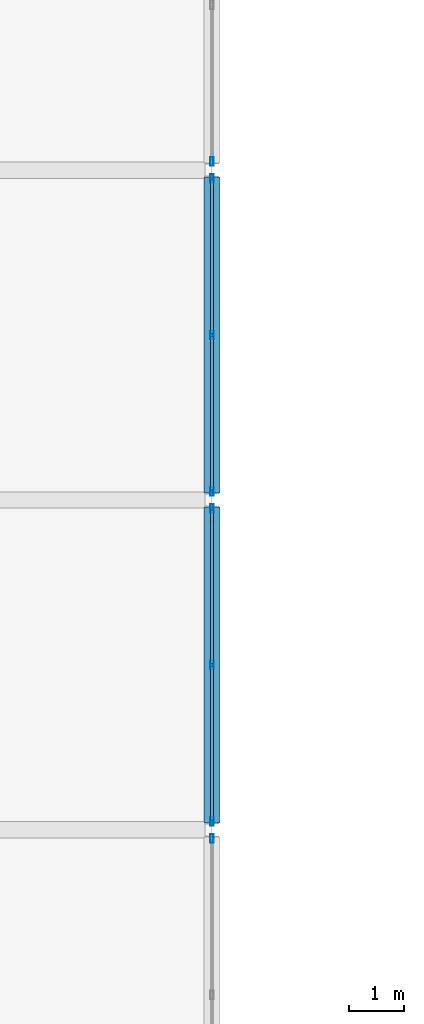
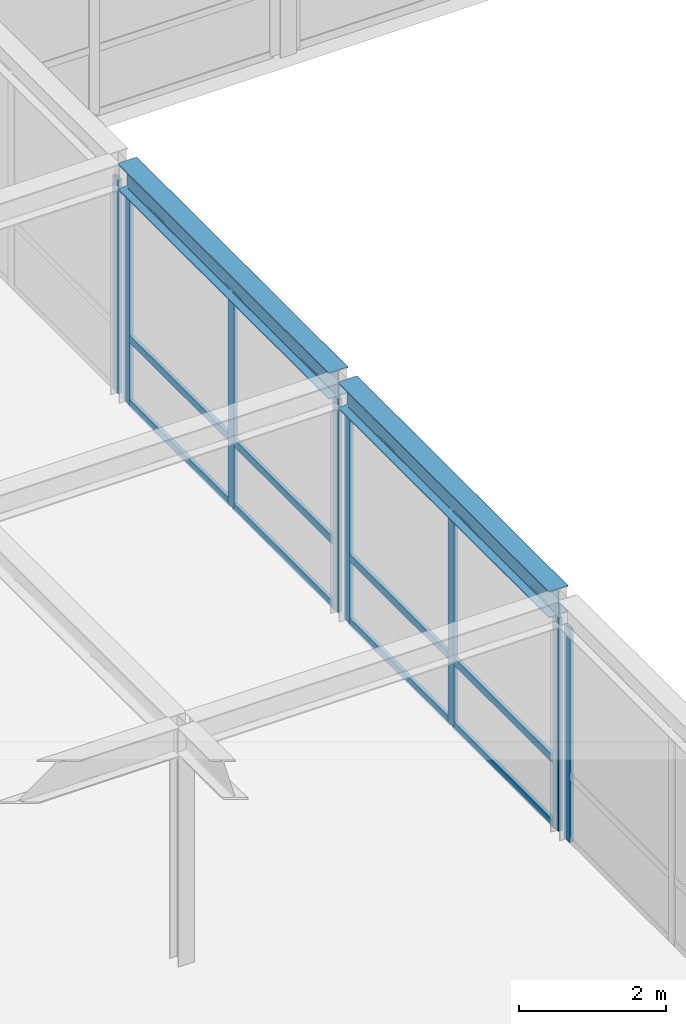
# One storey, part 45 of 111: 20 members, 2 beams, 4 elements without a shape of their own.
"""IFC4 building model written with IfcOpenShell, lengths in metres."""

import ifcopenshell
import ifcopenshell.guid

model = None  # the IFC model being written
_history = None  # IfcOwnerHistory: only IFC2X3 demands one
_inside = {}  # id of a spatial element -> (the spatial element, [elements in it])
_under = {}  # id of a project, library or spatial element -> (it, [spatial elements below it])
_declared = {}  # id of a project -> (the project, [libraries it declares])
_typed = {}  # id of a type object -> (the type object, [elements of that type])
_made_of = {}  # id of a material, layer set ... -> (it, [elements and type objects made of it])


def new_model(schema):
    """Start an empty IFC model of exactly this schema.

    Asked for "IFC4X3", IfcOpenShell would pick the latest addendum, in which some entities
    have other attributes; the version numbers below select the first issue.
    IFC2X3 requires an IfcOwnerHistory on every rooted entity: one is made here for all.
    """
    global model, _history
    if schema == "IFC4X3":
        model = ifcopenshell.file(schema_version=(4, 3, 0, 0))
    else:
        model = ifcopenshell.file(schema=schema)
    _inside.clear()
    _under.clear()
    _declared.clear()
    _typed.clear()
    _made_of.clear()
    _history = None
    if model.schema == "IFC2X3":
        org = make("IfcOrganization", Name="unknown")
        user = make(
            "IfcPersonAndOrganization",
            ThePerson=make("IfcPerson", FamilyName="unknown"),
            TheOrganization=org,
        )
        app = make(
            "IfcApplication",
            ApplicationDeveloper=org,
            Version="unknown",
            ApplicationFullName="unknown",
            ApplicationIdentifier="unknown",
        )
        _history = make(
            "IfcOwnerHistory",
            OwningUser=user,
            OwningApplication=app,
            ChangeAction="ADDED",
            CreationDate=0,
        )
    return model


def make(cls, **values):
    """One entity of the class cls with the attributes given. An attribute that is None is left unset."""
    return model.create_entity(
        cls, **{name: value for name, value in values.items() if value is not None}
    )


def rooted(cls, **values):
    """An entity with a GlobalId (a new one), such as an element, a storey or a relation."""
    return make(cls, GlobalId=ifcopenshell.guid.new(), OwnerHistory=_history, **values)


def si_unit(unit_type, name, prefix=None):
    """IfcSIUnit, for example si_unit("LENGTHUNIT", "METRE", prefix="MILLI")."""
    return make("IfcSIUnit", UnitType=unit_type, Prefix=prefix, Name=name)


def assignment(units):
    """IfcUnitAssignment: the units of a project."""
    return None if units is None else make("IfcUnitAssignment", Units=units)


def point(xyz):
    """IfcCartesianPoint."""
    return None if xyz is None else make("IfcCartesianPoint", Coordinates=xyz)


def direction(xyz):
    """IfcDirection."""
    return None if xyz is None else make("IfcDirection", DirectionRatios=xyz)


def frame(location, z_axis=None, x_axis=None):
    """IfcAxis2Placement3D, a coordinate frame: its origin and axes. An axis left out is left unset."""
    return make(
        "IfcAxis2Placement3D",
        Location=point(location),
        Axis=direction(z_axis),
        RefDirection=direction(x_axis),
    )


def frame_2d(location, x_axis=None):
    """IfcAxis2Placement2D, a coordinate frame in the plane: its origin and x axis."""
    return make(
        "IfcAxis2Placement2D", Location=point(location), RefDirection=direction(x_axis)
    )


def origin():
    """The frame at (0, 0, 0) with its axes left unset."""
    return frame((0.0, 0.0, 0.0))


def origin_2d():
    """The frame at (0, 0) in the plane with its x axis left unset."""
    return frame_2d((0.0, 0.0))


def place(relative_to, where):
    """IfcLocalPlacement: puts the frame where relative to a parent placement (None: the world)."""
    return make(
        "IfcLocalPlacement", PlacementRelTo=relative_to, RelativePlacement=where
    )


def context(
    kind, dimensions, precision=None, world=None, true_north=None, identifier=None
):
    """IfcGeometricRepresentationContext, for example the 3D "Model" context."""
    return make(
        "IfcGeometricRepresentationContext",
        ContextIdentifier=identifier,
        ContextType=kind,
        CoordinateSpaceDimension=dimensions,
        Precision=precision,
        WorldCoordinateSystem=world,
        TrueNorth=true_north,
    )


def subcontext(parent, identifier, kind, view, scale=None):
    """IfcGeometricRepresentationSubContext, for example "Body" below "Model"."""
    return make(
        "IfcGeometricRepresentationSubContext",
        ContextIdentifier=identifier,
        ContextType=kind,
        ParentContext=parent,
        TargetScale=scale,
        TargetView=view,
    )


def project(units=None, contexts=None):
    """IfcProject with its units and contexts."""
    return rooted(
        "IfcProject",
        Name="project",
        RepresentationContexts=contexts,
        UnitsInContext=assignment(units),
    )


def spatial(cls, under=None, at=None, **own):
    """A site, building, storey or space (cls), placed at a placement, below another one or the project."""
    s = rooted(cls, ObjectPlacement=at, **own)
    if under is not None:
        _under.setdefault(under.id(), (under, []))[1].append(s)
    return s


def profile(cls, at=None, kind="AREA", **sizes):
    """A parametric profile (cls). Its sizes go by their IFC names, for example OverallWidth=200.0."""
    return make(cls, ProfileType=kind, Position=at, **sizes)


def hollow_rectangle(**sizes):
    """IfcRectangleHollowProfileDef."""
    return profile("IfcRectangleHollowProfileDef", **sizes)


def i_section(**sizes):
    """IfcIShapeProfileDef."""
    return profile("IfcIShapeProfileDef", **sizes)


def extrude(swept, where, along, depth):
    """IfcExtrudedAreaSolid: the profile swept, set in the frame where, extruded along a direction by depth."""
    return make(
        "IfcExtrudedAreaSolid",
        SweptArea=swept,
        Position=where,
        ExtrudedDirection=direction(along),
        Depth=depth,
    )


def shape(context_of_items, identifier, shape_type, items):
    """IfcShapeRepresentation: the items that make up one representation, for example the "Body"."""
    return make(
        "IfcShapeRepresentation",
        ContextOfItems=context_of_items,
        RepresentationIdentifier=identifier,
        RepresentationType=shape_type,
        Items=items,
    )


def material(Name=None, Category=None):
    """IfcMaterial."""
    return make("IfcMaterial", Name=Name, Category=Category)


def layer(
    of_material, thickness, ventilated=None, Name=None, Category=None, Priority=None
):
    """IfcMaterialLayer: one layer of a wall or slab, of a material (None: an air gap)."""
    return make(
        "IfcMaterialLayer",
        Material=of_material,
        LayerThickness=thickness,
        IsVentilated=ventilated,
        Name=Name,
        Category=Category,
        Priority=Priority,
    )


def layer_set(layers, Name=None):
    """IfcMaterialLayerSet."""
    return make("IfcMaterialLayerSet", MaterialLayers=layers, LayerSetName=Name)


def material_profile(
    of_material, cross_section, Name=None, Category=None, Priority=None
):
    """IfcMaterialProfile: a cross section and its material."""
    return make(
        "IfcMaterialProfile",
        Name=Name,
        Material=of_material,
        Profile=cross_section,
        Priority=Priority,
        Category=Category,
    )


def profile_set(profiles, Name=None, composite=None):
    """IfcMaterialProfileSet."""
    return make(
        "IfcMaterialProfileSet",
        Name=Name,
        MaterialProfiles=profiles,
        CompositeProfile=composite,
    )


def made_of(thing, what):
    """Note that an element or type object is made of a material, layer set ...; save() writes the relation."""
    if what is not None:
        _made_of.setdefault(what.id(), (what, []))[1].append(thing)
    return thing


def type_object(cls, material=None, **own):
    """A type object (cls), such as IfcWallType, which elements share."""
    return made_of(rooted(cls, **own), material)


def element(
    cls,
    number,
    at=None,
    inside=None,
    cuts=None,
    type_object=None,
    material=None,
    context=None,
    identifier="Body",
    shape_type=None,
    held_by="IfcProductDefinitionShape",
    body=None,
    shapes=None,
    **own,
):
    """One element of the class cls, such as IfcWall. Its Tag is "e" and its number.

    at: its placement. inside: the storey or other place that contains it. cuts: it is an
    opening in that element (IfcRelVoidsElement). A single representation is given by context,
    identifier, shape_type and body (its items); several are given by shapes. held_by: the class
    of the entity that holds the representations. save() writes the other relations.
    """
    e = rooted(cls, Tag="e%d" % number, ObjectPlacement=at, **own)
    if body is not None:
        shapes = [shape(context, identifier, shape_type, body)]
    if shapes is not None:
        e.Representation = make(held_by, Representations=shapes)
    if inside is not None:
        _inside.setdefault(inside.id(), (inside, []))[1].append(e)
    if cuts is not None:
        rooted(
            "IfcRelVoidsElement", RelatingBuildingElement=cuts, RelatedOpeningElement=e
        )
    if type_object is not None:
        _typed.setdefault(type_object.id(), (type_object, []))[1].append(e)
    return made_of(e, material)


def aggregate(whole, parts):
    """IfcRelAggregates: a whole, such as a stair, and the parts it consists of."""
    return rooted("IfcRelAggregates", RelatingObject=whole, RelatedObjects=parts)


def save(model, path):
    """Write the relations noted so far, then the file.

    IfcRelAggregates (storeys below a building ...), IfcRelContainedInSpatialStructure (elements
    in a storey), IfcRelDefinesByType, IfcRelAssociatesMaterial and IfcRelDeclares: one each for
    every whole, place, type object, material and project.
    """
    for whole, parts in _under.values():
        aggregate(whole, parts)
    for where, things in _inside.values():
        rooted(
            "IfcRelContainedInSpatialStructure",
            RelatedElements=things,
            RelatingStructure=where,
        )
    for kind, things in _typed.values():
        rooted("IfcRelDefinesByType", RelatedObjects=things, RelatingType=kind)
    for what, things in _made_of.values():
        rooted("IfcRelAssociatesMaterial", RelatedObjects=things, RelatingMaterial=what)
    for by, libraries in _declared.values():
        rooted("IfcRelDeclares", RelatingContext=by, RelatedDefinitions=libraries)
    model.write(path)


model = new_model("IFC4")

# Units and contexts
model_context = context("Model", 3, precision=1e-05, world=origin(), true_north=direction((0.0, 1.0)))
body_context = subcontext(model_context, "Body", "Model", "MODEL_VIEW")
ifc_project = project(units=[si_unit("LENGTHUNIT", "METRE"), si_unit("AREAUNIT", "SQUARE_METRE"), si_unit("VOLUMEUNIT", "CUBIC_METRE"), si_unit("PLANEANGLEUNIT", "RADIAN"), si_unit("MASSUNIT", "GRAM", prefix="KILO")], contexts=[model_context])

# Site, building, storey
site_placement = place(None, origin())
site = spatial("IfcSite", under=ifc_project, at=site_placement, CompositionType="ELEMENT")
building_placement = place(site_placement, origin())
building = spatial("IfcBuilding", under=site, at=building_placement, Name="Zlatovratsky Civic Hall", CompositionType="ELEMENT")
storey_placement = place(building_placement, frame((0.0, 0.0, 16.5)))
storey = spatial("IfcBuildingStorey", under=building, at=storey_placement, Name="L04", CompositionType="ELEMENT", Elevation=16.5)

# Beams
ifc_material_1 = material(Name="Steel S355", Category="steel")
ifc_material_profile_1 = material_profile(ifc_material_1, i_section(OverallWidth=0.300048828125, OverallDepth=0.43994140625, WebThickness=0.010986328125, FlangeThickness=0.01806640625, FilletRadius=0.02197265625, at=origin_2d()), Name="45Sh1")
ifc_profile_set_1 = profile_set([ifc_material_profile_1], Name="Steel S355")
beam_type = type_object("IfcBeamType", Name="Beam_TowerLow_45Sh1", PredefinedType="BEAM", material=ifc_profile_set_1)
for number, where, z_axis, x_axis, name in (
    (1, (18.0, 48.125, 3.780029296875), (0.0, 1.0, 0.0), (-1.0, 0.0, 0.0), "BM-3552"),
    (2, (18.0, 54.125, 3.780029296875), (0.0, 1.0, 0.0), (-1.0, 0.0, 0.0), "BM-3553"),
):
    element("IfcBeam", number, at=place(storey_placement, frame(where, z_axis=z_axis, x_axis=x_axis)), inside=storey, type_object=beam_type, Name=name, PredefinedType="BEAM", context=body_context, shape_type="SweptSolid", body=[
        extrude(i_section(OverallWidth=0.300048828125, OverallDepth=0.43994140625, WebThickness=0.010986328125, FlangeThickness=0.01806640625, FilletRadius=0.02197265625, at=origin_2d()), origin(), (0.0, 0.0, 1.0), 5.75),
    ])

# Curtain wall, member
ifc_material_2 = material(Name="Anodised bronze aluminium", Category="aluminium")
ifc_layer = layer(ifc_material_2, 0.159912109375)
ifc_layer_set = layer_set([ifc_layer], Name="Anodised bronze aluminium")
curtain_wall_type = type_object("IfcCurtainWallType", Name="CurtainWall_Bronze_5750x3550_18", PredefinedType="NOTDEFINED", material=ifc_layer_set)
curtain_wall_1_placement = place(storey_placement, origin())
curtain_wall_1 = element("IfcCurtainWall", 3, at=curtain_wall_1_placement, inside=storey, type_object=curtain_wall_type, Name="CW-101", PredefinedType="NOTDEFINED")
ifc_material_profile_2 = material_profile(ifc_material_2, hollow_rectangle(XDim=0.06005859375, YDim=0.159912109375, WallThickness=0.00390625, at=origin_2d()), Name="ALU 60x160x4")
ifc_profile_set_2 = profile_set([ifc_material_profile_2], Name="Anodised bronze aluminium")
member_type_1 = type_object("IfcMemberType", Name="CW_Mullion_60x160", PredefinedType="MULLION", material=ifc_profile_set_2)
member_1_placement = place(storey_placement, frame((18.0, 47.844970703125, 0.0), z_axis=(0.0, 0.0, 1.0), x_axis=(-1.0, 0.0, 0.0)))
member_1 = element("IfcMember", 4, at=member_1_placement, type_object=member_type_1, Name="CW-18 mullion 3", PredefinedType="MULLION", context=body_context, shape_type="SweptSolid", body=[
    extrude(hollow_rectangle(XDim=0.06005859375, YDim=0.159912109375, WallThickness=0.00390625, at=origin_2d()), origin(), (0.0, 0.0, 1.0), 3.550048828125),
])
aggregate(curtain_wall_1, [member_1])

# Curtain wall, members
curtain_wall_2_placement = place(storey_placement, origin())
curtain_wall_2 = element("IfcCurtainWall", 5, at=curtain_wall_2_placement, inside=storey, type_object=curtain_wall_type, Name="CW-102", PredefinedType="NOTDEFINED")
member_2_placement = place(storey_placement, frame((18.0, 48.155029296875, 0.0), z_axis=(0.0, 0.0, 1.0), x_axis=(-1.0, 0.0, 0.0)))
member_2 = element("IfcMember", 6, at=member_2_placement, type_object=member_type_1, Name="CW-18 mullion 1", PredefinedType="MULLION", context=body_context, shape_type="SweptSolid", body=[
    extrude(hollow_rectangle(XDim=0.06005859375, YDim=0.159912109375, WallThickness=0.00390625, at=origin_2d()), origin(), (0.0, 0.0, 1.0), 3.550048828125),
])
member_3_placement = place(storey_placement, frame((18.0, 51.0, 0.0), z_axis=(0.0, 0.0, 1.0), x_axis=(-1.0, 0.0, 0.0)))
member_3 = element("IfcMember", 7, at=member_3_placement, type_object=member_type_1, Name="CW-18 mullion 2", PredefinedType="MULLION", context=body_context, shape_type="SweptSolid", body=[
    extrude(hollow_rectangle(XDim=0.06005859375, YDim=0.159912109375, WallThickness=0.00390625, at=origin_2d()), origin(), (0.0, 0.0, 1.0), 3.550048828125),
])
member_4_placement = place(storey_placement, frame((18.0, 53.844970703125, 0.0), z_axis=(0.0, 0.0, 1.0), x_axis=(-1.0, 0.0, 0.0)))
member_4 = element("IfcMember", 8, at=member_4_placement, type_object=member_type_1, Name="CW-18 mullion 3", PredefinedType="MULLION", context=body_context, shape_type="SweptSolid", body=[
    extrude(hollow_rectangle(XDim=0.06005859375, YDim=0.159912109375, WallThickness=0.00390625, at=origin_2d()), origin(), (0.0, 0.0, 1.0), 3.550048828125),
])

curtain_wall_3_placement = place(storey_placement, origin())
curtain_wall_3 = element("IfcCurtainWall", 9, at=curtain_wall_3_placement, inside=storey, type_object=curtain_wall_type, Name="CW-103", PredefinedType="NOTDEFINED")
member_5_placement = place(storey_placement, frame((18.0, 54.155029296875, 0.0), z_axis=(0.0, 0.0, 1.0), x_axis=(-1.0, 0.0, 0.0)))
member_5 = element("IfcMember", 10, at=member_5_placement, type_object=member_type_1, Name="CW-18 mullion 1", PredefinedType="MULLION", context=body_context, shape_type="SweptSolid", body=[
    extrude(hollow_rectangle(XDim=0.06005859375, YDim=0.159912109375, WallThickness=0.00390625, at=origin_2d()), origin(), (0.0, 0.0, 1.0), 3.550048828125),
])
member_6_placement = place(storey_placement, frame((18.0, 57.0, 0.0), z_axis=(0.0, 0.0, 1.0), x_axis=(-1.0, 0.0, 0.0)))
member_6 = element("IfcMember", 11, at=member_6_placement, type_object=member_type_1, Name="CW-18 mullion 2", PredefinedType="MULLION", context=body_context, shape_type="SweptSolid", body=[
    extrude(hollow_rectangle(XDim=0.06005859375, YDim=0.159912109375, WallThickness=0.00390625, at=origin_2d()), origin(), (0.0, 0.0, 1.0), 3.550048828125),
])
member_7_placement = place(storey_placement, frame((18.0, 59.844970703125, 0.0), z_axis=(0.0, 0.0, 1.0), x_axis=(-1.0, 0.0, 0.0)))
member_7 = element("IfcMember", 12, at=member_7_placement, type_object=member_type_1, Name="CW-18 mullion 3", PredefinedType="MULLION", context=body_context, shape_type="SweptSolid", body=[
    extrude(hollow_rectangle(XDim=0.06005859375, YDim=0.159912109375, WallThickness=0.00390625, at=origin_2d()), origin(), (0.0, 0.0, 1.0), 3.550048828125),
])

# Curtain wall, member
curtain_wall_4_placement = place(storey_placement, origin())
curtain_wall_4 = element("IfcCurtainWall", 13, at=curtain_wall_4_placement, inside=storey, type_object=curtain_wall_type, Name="CW-104", PredefinedType="NOTDEFINED")
member_8_placement = place(storey_placement, frame((18.0, 60.155029296875, 0.0), z_axis=(0.0, 0.0, 1.0), x_axis=(-1.0, 0.0, 0.0)))
member_8 = element("IfcMember", 14, at=member_8_placement, type_object=member_type_1, Name="CW-18 mullion 1", PredefinedType="MULLION", context=body_context, shape_type="SweptSolid", body=[
    extrude(hollow_rectangle(XDim=0.06005859375, YDim=0.159912109375, WallThickness=0.00390625, at=origin_2d()), origin(), (0.0, 0.0, 1.0), 3.550048828125),
])
aggregate(curtain_wall_4, [member_8])

# Member
ifc_material_profile_3 = material_profile(ifc_material_2, hollow_rectangle(XDim=0.06005859375, YDim=0.1201171875, WallThickness=0.00390625, at=origin_2d()), Name="ALU 60x120x4")
ifc_profile_set_3 = profile_set([ifc_material_profile_3], Name="Anodised bronze aluminium")
member_type_2 = type_object("IfcMemberType", Name="CW_Transom_60x120", PredefinedType="USERDEFINED", material=ifc_profile_set_3)
member_9_placement = place(storey_placement, frame((18.0, 48.18505859375, 0.030029296875), z_axis=(0.0, 1.0, 0.0), x_axis=(-1.0, 0.0, 0.0)))
member_9 = element("IfcMember", 15, at=member_9_placement, type_object=member_type_2, Name="CW-18 transom 1.1", ObjectType="TRANSOM", PredefinedType="USERDEFINED", context=body_context, shape_type="SweptSolid", body=[
    extrude(hollow_rectangle(XDim=0.06005859375, YDim=0.1201171875, WallThickness=0.00390625, at=origin_2d()), origin(), (0.0, 0.0, 1.0), 2.784912109375),
])

member_10_placement = place(storey_placement, frame((18.0, 48.18505859375, 1.10009765625), z_axis=(0.0, 1.0, 0.0), x_axis=(-1.0, 0.0, 0.0)))
member_10 = element("IfcMember", 16, at=member_10_placement, type_object=member_type_2, Name="CW-18 transom 1.2", ObjectType="TRANSOM", PredefinedType="USERDEFINED", context=body_context, shape_type="SweptSolid", body=[
    extrude(hollow_rectangle(XDim=0.06005859375, YDim=0.1201171875, WallThickness=0.00390625, at=origin_2d()), origin(), (0.0, 0.0, 1.0), 2.784912109375),
])

member_11_placement = place(storey_placement, frame((18.0, 48.18505859375, 3.52001953125), z_axis=(0.0, 1.0, 0.0), x_axis=(-1.0, 0.0, 0.0)))
member_11 = element("IfcMember", 17, at=member_11_placement, type_object=member_type_2, Name="CW-18 transom 1.3", ObjectType="TRANSOM", PredefinedType="USERDEFINED", context=body_context, shape_type="SweptSolid", body=[
    extrude(hollow_rectangle(XDim=0.06005859375, YDim=0.1201171875, WallThickness=0.00390625, at=origin_2d()), origin(), (0.0, 0.0, 1.0), 2.784912109375),
])

member_12_placement = place(storey_placement, frame((18.0, 51.030029296875, 0.030029296875), z_axis=(0.0, 1.0, 0.0), x_axis=(-1.0, 0.0, 0.0)))
member_12 = element("IfcMember", 18, at=member_12_placement, type_object=member_type_2, Name="CW-18 transom 2.1", ObjectType="TRANSOM", PredefinedType="USERDEFINED", context=body_context, shape_type="SweptSolid", body=[
    extrude(hollow_rectangle(XDim=0.06005859375, YDim=0.1201171875, WallThickness=0.00390625, at=origin_2d()), origin(), (0.0, 0.0, 1.0), 2.784912109375),
])

member_13_placement = place(storey_placement, frame((18.0, 51.030029296875, 1.10009765625), z_axis=(0.0, 1.0, 0.0), x_axis=(-1.0, 0.0, 0.0)))
member_13 = element("IfcMember", 19, at=member_13_placement, type_object=member_type_2, Name="CW-18 transom 2.2", ObjectType="TRANSOM", PredefinedType="USERDEFINED", context=body_context, shape_type="SweptSolid", body=[
    extrude(hollow_rectangle(XDim=0.06005859375, YDim=0.1201171875, WallThickness=0.00390625, at=origin_2d()), origin(), (0.0, 0.0, 1.0), 2.784912109375),
])

member_14_placement = place(storey_placement, frame((18.0, 51.030029296875, 3.52001953125), z_axis=(0.0, 1.0, 0.0), x_axis=(-1.0, 0.0, 0.0)))
member_14 = element("IfcMember", 20, at=member_14_placement, type_object=member_type_2, Name="CW-18 transom 2.3", ObjectType="TRANSOM", PredefinedType="USERDEFINED", context=body_context, shape_type="SweptSolid", body=[
    extrude(hollow_rectangle(XDim=0.06005859375, YDim=0.1201171875, WallThickness=0.00390625, at=origin_2d()), origin(), (0.0, 0.0, 1.0), 2.784912109375),
])

aggregate(curtain_wall_2, [member_2, member_3, member_4, member_9, member_10, member_11, member_12, member_13, member_14])

member_15_placement = place(storey_placement, frame((18.0, 54.18505859375, 0.030029296875), z_axis=(0.0, 1.0, 0.0), x_axis=(-1.0, 0.0, 0.0)))
member_15 = element("IfcMember", 21, at=member_15_placement, type_object=member_type_2, Name="CW-18 transom 1.1", ObjectType="TRANSOM", PredefinedType="USERDEFINED", context=body_context, shape_type="SweptSolid", body=[
    extrude(hollow_rectangle(XDim=0.06005859375, YDim=0.1201171875, WallThickness=0.00390625, at=origin_2d()), origin(), (0.0, 0.0, 1.0), 2.784912109375),
])

member_16_placement = place(storey_placement, frame((18.0, 54.18505859375, 1.10009765625), z_axis=(0.0, 1.0, 0.0), x_axis=(-1.0, 0.0, 0.0)))
member_16 = element("IfcMember", 22, at=member_16_placement, type_object=member_type_2, Name="CW-18 transom 1.2", ObjectType="TRANSOM", PredefinedType="USERDEFINED", context=body_context, shape_type="SweptSolid", body=[
    extrude(hollow_rectangle(XDim=0.06005859375, YDim=0.1201171875, WallThickness=0.00390625, at=origin_2d()), origin(), (0.0, 0.0, 1.0), 2.784912109375),
])

member_17_placement = place(storey_placement, frame((18.0, 54.18505859375, 3.52001953125), z_axis=(0.0, 1.0, 0.0), x_axis=(-1.0, 0.0, 0.0)))
member_17 = element("IfcMember", 23, at=member_17_placement, type_object=member_type_2, Name="CW-18 transom 1.3", ObjectType="TRANSOM", PredefinedType="USERDEFINED", context=body_context, shape_type="SweptSolid", body=[
    extrude(hollow_rectangle(XDim=0.06005859375, YDim=0.1201171875, WallThickness=0.00390625, at=origin_2d()), origin(), (0.0, 0.0, 1.0), 2.784912109375),
])

member_18_placement = place(storey_placement, frame((18.0, 57.030029296875, 0.030029296875), z_axis=(0.0, 1.0, 0.0), x_axis=(-1.0, 0.0, 0.0)))
member_18 = element("IfcMember", 24, at=member_18_placement, type_object=member_type_2, Name="CW-18 transom 2.1", ObjectType="TRANSOM", PredefinedType="USERDEFINED", context=body_context, shape_type="SweptSolid", body=[
    extrude(hollow_rectangle(XDim=0.06005859375, YDim=0.1201171875, WallThickness=0.00390625, at=origin_2d()), origin(), (0.0, 0.0, 1.0), 2.784912109375),
])

member_19_placement = place(storey_placement, frame((18.0, 57.030029296875, 1.10009765625), z_axis=(0.0, 1.0, 0.0), x_axis=(-1.0, 0.0, 0.0)))
member_19 = element("IfcMember", 25, at=member_19_placement, type_object=member_type_2, Name="CW-18 transom 2.2", ObjectType="TRANSOM", PredefinedType="USERDEFINED", context=body_context, shape_type="SweptSolid", body=[
    extrude(hollow_rectangle(XDim=0.06005859375, YDim=0.1201171875, WallThickness=0.00390625, at=origin_2d()), origin(), (0.0, 0.0, 1.0), 2.784912109375),
])

member_20_placement = place(storey_placement, frame((18.0, 57.030029296875, 3.52001953125), z_axis=(0.0, 1.0, 0.0), x_axis=(-1.0, 0.0, 0.0)))
member_20 = element("IfcMember", 26, at=member_20_placement, type_object=member_type_2, Name="CW-18 transom 2.3", ObjectType="TRANSOM", PredefinedType="USERDEFINED", context=body_context, shape_type="SweptSolid", body=[
    extrude(hollow_rectangle(XDim=0.06005859375, YDim=0.1201171875, WallThickness=0.00390625, at=origin_2d()), origin(), (0.0, 0.0, 1.0), 2.784912109375),
])

aggregate(curtain_wall_3, [member_5, member_6, member_7, member_15, member_16, member_17, member_18, member_19, member_20])

save(model, "model.ifc")
